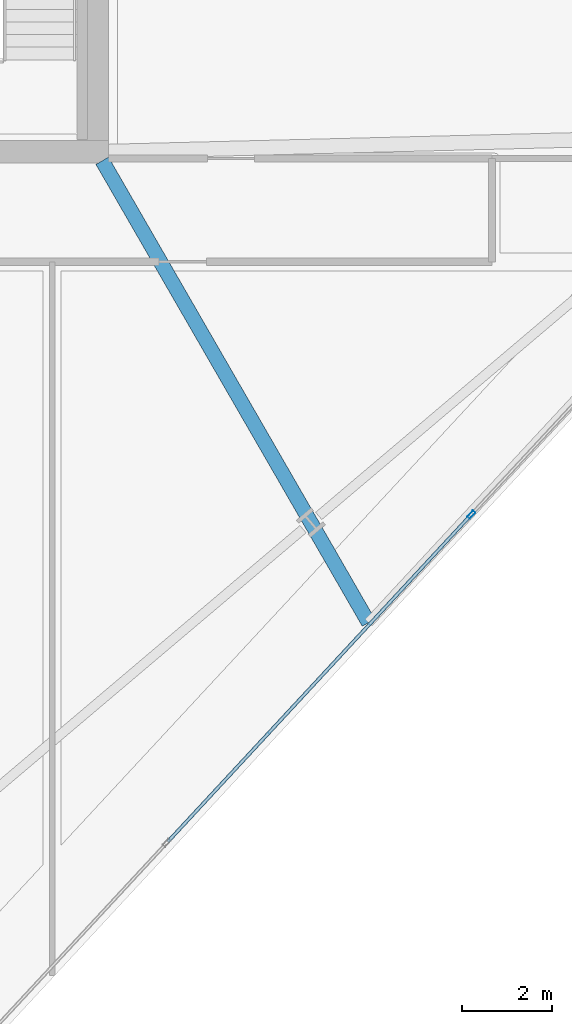
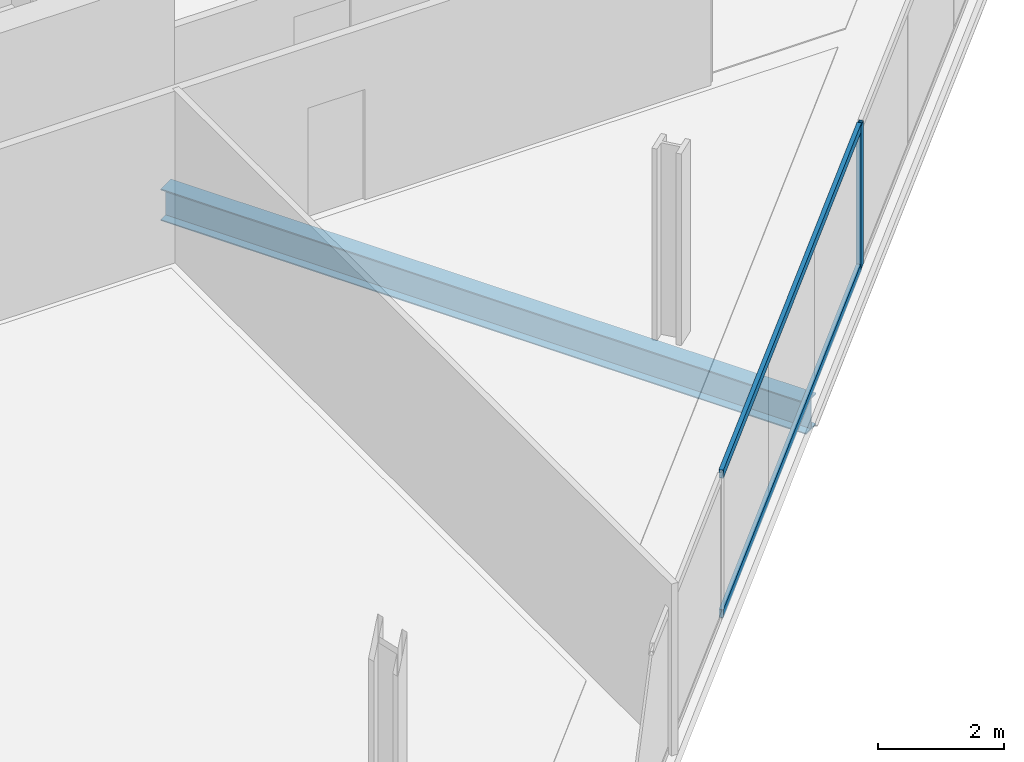
# One storey, part 8 of 32: 3 members, 1 beam, 1 element without a shape of its own.
"""IFC4 building model written with IfcOpenShell, lengths in metres."""

from ifc_helpers import new_model, si_unit, direction, frame, origin, origin_2d, place, context, subcontext, project, spatial, hollow_rectangle, i_section, extrude, material, material_profile, profile_set, type_object, element, aggregate, save


model = new_model("IFC4")

# Units and contexts
model_context = context("Model", 3, precision=1e-05, world=origin(), true_north=direction((0.0, 1.0)))
body_context = subcontext(model_context, "Body", "Model", "MODEL_VIEW")
ifc_project = project(units=[si_unit("LENGTHUNIT", "METRE"), si_unit("AREAUNIT", "SQUARE_METRE"), si_unit("VOLUMEUNIT", "CUBIC_METRE"), si_unit("PLANEANGLEUNIT", "RADIAN"), si_unit("MASSUNIT", "GRAM", prefix="KILO")], contexts=[model_context])

# Site, building, storey
site_placement = place(None, origin())
site = spatial("IfcSite", under=ifc_project, at=site_placement, CompositionType="ELEMENT")
building_placement = place(site_placement, origin())
building = spatial("IfcBuilding", under=site, at=building_placement, Name="Haldenkirk Collegiate Tower", CompositionType="ELEMENT")
storey_placement = place(building_placement, frame((0.0, 0.0, 185.699951171875)))
storey = spatial("IfcBuildingStorey", under=building, at=storey_placement, Name="L46", CompositionType="ELEMENT", Elevation=185.699951171875)

# Beam
ifc_material_1 = material(Name="Steel ASTM A992 Grade 50", Category="steel")
ifc_material_profile_1 = material_profile(ifc_material_1, i_section(OverallWidth=0.324951171875, OverallDepth=0.615966796875, WebThickness=0.013916015625, FlangeThickness=0.021484375, at=origin_2d()), Name="W24X117")
ifc_profile_set_1 = profile_set([ifc_material_profile_1], Name="Steel ASTM A992 Grade 50")
beam_type = type_object("IfcBeamType", Name="BM-GIRDER-W24X117", PredefinedType="BEAM", material=ifc_profile_set_1)
beam_placement = place(storey_placement, frame((51.048583984375, 7.513427734375, -0.597900390625), z_axis=(-0.499632873355, 0.866237260722, 0.0), x_axis=(-0.866237260722, -0.499632873355, 0.0)))
element("IfcBeam", 1, at=beam_placement, inside=storey, type_object=beam_type, Name="L46 primary floor girder 06", PredefinedType="BEAM", context=body_context, shape_type="SweptSolid", body=[
    extrude(i_section(OverallWidth=0.324951171875, OverallDepth=0.615966796875, WebThickness=0.013916015625, FlangeThickness=0.021484375, at=origin_2d()), origin(), (0.0, 0.0, 1.0), 11.8759765625),
])

# Curtain wall, members
ifc_material_2 = material(Name="Anodised architectural bronze aluminium", Category="aluminium")
curtain_wall_type = type_object("IfcCurtainWallType", Name="CW-SYS2-CONCAVE", PredefinedType="USERDEFINED", material=ifc_material_2)
curtain_wall_placement = place(storey_placement, origin())
curtain_wall = element("IfcCurtainWall", 2, at=curtain_wall_placement, inside=storey, type_object=curtain_wall_type, Name="L46 South concave recessed bronze-anodised curtain wall", ObjectType="UNITISED CURTAIN WALL", PredefinedType="USERDEFINED")
ifc_material_profile_2 = material_profile(ifc_material_2, hollow_rectangle(XDim=0.074951171875, YDim=0.18994140625, WallThickness=0.0048828125, at=origin_2d()), Name="CW-MUL-02")
ifc_profile_set_2 = profile_set([ifc_material_profile_2], Name="Anodised architectural bronze aluminium")
member_type_1 = type_object("IfcMemberType", Name="CW-MUL-02", PredefinedType="MULLION", material=ifc_profile_set_2)
member_1_placement = place(storey_placement, frame((53.3349609375, 9.91943359375, 0.0), z_axis=(0.0, 0.0, 1.0), x_axis=(0.733137779244, -0.680080139869, 0.0)))
member_1 = element("IfcMember", 3, at=member_1_placement, type_object=member_type_1, Name="CW-02 mullion 3", PredefinedType="MULLION", context=body_context, shape_type="SweptSolid", body=[
    extrude(hollow_rectangle(XDim=0.074951171875, YDim=0.18994140625, WallThickness=0.0048828125, at=origin_2d()), origin(), (0.0, 0.0, 1.0), 2.791015625),
])
ifc_material_profile_3 = material_profile(ifc_material_2, hollow_rectangle(XDim=0.074951171875, YDim=0.159912109375, WallThickness=0.0048828125, at=origin_2d()), Name="CW-TRN-02")
ifc_profile_set_3 = profile_set([ifc_material_profile_3], Name="Anodised architectural bronze aluminium")
member_type_2 = type_object("IfcMemberType", Name="CW-TRN-02", PredefinedType="USERDEFINED", material=ifc_profile_set_3)
member_2_placement = place(storey_placement, frame((53.3095703125, 9.89208984375, 0.03759765625), z_axis=(-0.680086850924, -0.733131553816, 0.0), x_axis=(0.733131553816, -0.680086850924, 0.0)))
member_2 = element("IfcMember", 4, at=member_2_placement, type_object=member_type_2, Name="CW-02 transom 3.1", ObjectType="TRANSOM", PredefinedType="USERDEFINED", context=body_context, shape_type="SweptSolid", body=[
    extrude(hollow_rectangle(XDim=0.074951171875, YDim=0.159912109375, WallThickness=0.0048828125, at=origin_2d()), origin(), (0.0, 0.0, 1.0), 9.900146484375),
])
member_3_placement = place(storey_placement, frame((53.3095703125, 9.89208984375, 2.753662109375), z_axis=(-0.680086850924, -0.733131553816, 0.0), x_axis=(0.733131553816, -0.680086850924, 0.0)))
member_3 = element("IfcMember", 5, at=member_3_placement, type_object=member_type_2, Name="CW-02 transom 3.2", ObjectType="TRANSOM", PredefinedType="USERDEFINED", context=body_context, shape_type="SweptSolid", body=[
    extrude(hollow_rectangle(XDim=0.074951171875, YDim=0.159912109375, WallThickness=0.0048828125, at=origin_2d()), origin(), (0.0, 0.0, 1.0), 9.900146484375),
])
aggregate(curtain_wall, [member_1, member_2, member_3])

save(model, "model.ifc")
